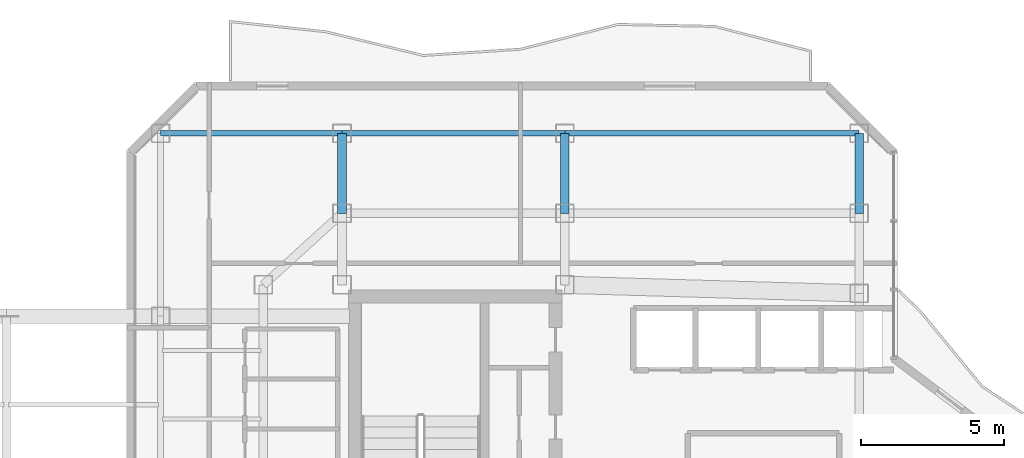
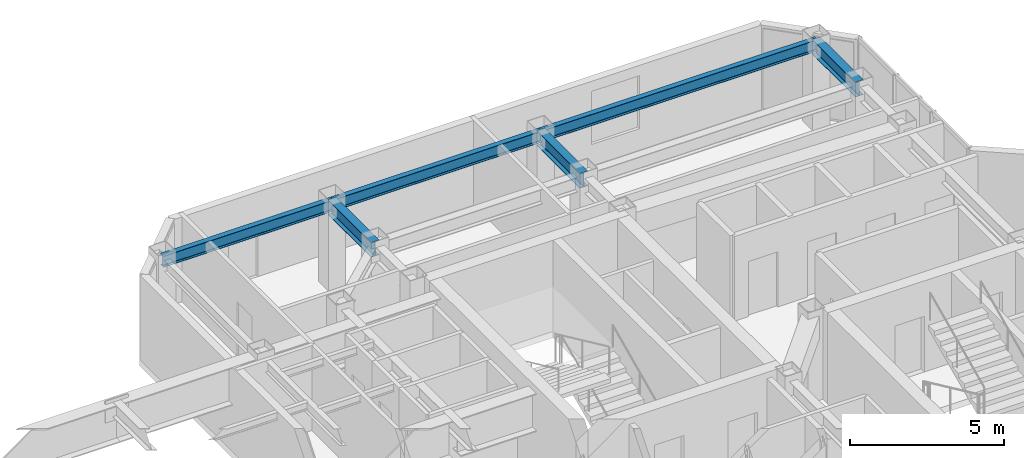
# One storey, part 9 of 17: 6 beams.
"""IFC4 building model written with IfcOpenShell, lengths in metres."""

from ifc_helpers import new_model, si_unit, direction, frame, origin, origin_2d, place, context, subcontext, project, spatial, i_section, extrude, material, material_profile, profile_set, type_object, element, save


model = new_model("IFC4")

# Units and contexts
model_context = context("Model", 3, precision=1e-05, world=origin(), true_north=direction((0.0, 1.0)))
body_context = subcontext(model_context, "Body", "Model", "MODEL_VIEW")
ifc_project = project(units=[si_unit("LENGTHUNIT", "METRE"), si_unit("AREAUNIT", "SQUARE_METRE"), si_unit("VOLUMEUNIT", "CUBIC_METRE"), si_unit("PLANEANGLEUNIT", "RADIAN"), si_unit("MASSUNIT", "GRAM", prefix="KILO")], contexts=[model_context])

# Site, building, storey
site_placement = place(None, origin())
site = spatial("IfcSite", under=ifc_project, at=site_placement, CompositionType="ELEMENT")
building_placement = place(site_placement, origin())
building = spatial("IfcBuilding", under=site, at=building_placement, Name="Hatsunagi Terrace Concourse", CompositionType="ELEMENT")
storey_placement = place(building_placement, frame((0.0, 0.0, 253.949951171875)))
storey = spatial("IfcBuildingStorey", under=building, at=storey_placement, Name="L67", CompositionType="ELEMENT", Elevation=253.949951171875)

# Beams
ifc_material_1 = material(Name="Steel SN490B", Category="steel")
ifc_material_profile_1 = material_profile(ifc_material_1, i_section(OverallWidth=0.300048828125, OverallDepth=0.587890625, WebThickness=0.011962890625, FlangeThickness=0.02001953125, FilletRadius=0.01806640625, at=origin_2d()), Name="H-588x300x12x20")
ifc_profile_set_1 = profile_set([ifc_material_profile_1], Name="Steel SN490B")
beam_type_1 = type_object("IfcBeamType", Name="OfficeHighGirder_H_588x300", PredefinedType="BEAM", material=ifc_profile_set_1)
for number, where, z_axis, x_axis, name in (
    (1, (25.550048828125, 45.800048828125, 3.05615234375), (0.0, 1.0, 0.0), (-1.0, 0.0, 0.0), "Beam G-06 BM-L67-KN-WN4"),
    (2, (33.35009765625, 45.800048828125, 3.05615234375), (0.0, 1.0, 0.0), (-1.0, 0.0, 0.0), "Beam G-06 BM-L67-KN-WN5"),
    (3, (43.64990234375, 45.800048828125, 3.05615234375), (0.0, 1.0, 0.0), (-1.0, 0.0, 0.0), "Beam G-06 BM-L67-KN-WN6"),
):
    element("IfcBeam", number, at=place(storey_placement, frame(where, z_axis=z_axis, x_axis=x_axis)), inside=storey, type_object=beam_type_1, Name=name, PredefinedType="BEAM", context=body_context, shape_type="SweptSolid", body=[
        extrude(i_section(OverallWidth=0.300048828125, OverallDepth=0.587890625, WebThickness=0.011962890625, FlangeThickness=0.02001953125, FilletRadius=0.01806640625, at=origin_2d()), origin(), (0.0, 0.0, 1.0), 2.800048828125),
    ])
ifc_material_2 = material(Name="Steel SN490B", Category="steel")
ifc_material_profile_2 = material_profile(ifc_material_2, i_section(OverallWidth=0.199951171875, OverallDepth=0.449951171875, WebThickness=0.009033203125, FlangeThickness=0.013916015625, FilletRadius=0.01611328125, at=origin_2d()), Name="H-450x200x9x14")
ifc_profile_set_2 = profile_set([ifc_material_profile_2], Name="Steel SN490B")
beam_type_2 = type_object("IfcBeamType", Name="PerimeterSpandrel_H_450x200", PredefinedType="SPANDREL", material=ifc_profile_set_2)
beam_1_placement = place(storey_placement, frame((19.199951171875, 48.60009765625, 3.125), z_axis=(1.0, 0.0, 0.0), x_axis=(0.0, 1.0, 0.0)))
element("IfcBeam", 4, at=beam_1_placement, inside=storey, type_object=beam_type_2, Name="Beam SP-02 BM-L67-WN-19", PredefinedType="SPANDREL", context=body_context, shape_type="SweptSolid", body=[
    extrude(i_section(OverallWidth=0.199951171875, OverallDepth=0.449951171875, WebThickness=0.009033203125, FlangeThickness=0.013916015625, FilletRadius=0.01611328125, at=origin_2d()), origin(), (0.0, 0.0, 1.0), 6.35009765625),
])
beam_2_placement = place(storey_placement, frame((25.550048828125, 48.60009765625, 3.125), z_axis=(1.0, 0.0, 0.0), x_axis=(0.0, 1.0, 0.0)))
element("IfcBeam", 5, at=beam_2_placement, inside=storey, type_object=beam_type_2, Name="Beam SP-02 BM-L67-WN-25", PredefinedType="SPANDREL", context=body_context, shape_type="SweptSolid", body=[
    extrude(i_section(OverallWidth=0.199951171875, OverallDepth=0.449951171875, WebThickness=0.009033203125, FlangeThickness=0.013916015625, FilletRadius=0.01611328125, at=origin_2d()), origin(), (0.0, 0.0, 1.0), 7.800048828125),
])
beam_3_placement = place(storey_placement, frame((33.35009765625, 48.60009765625, 3.125), z_axis=(1.0, 0.0, 0.0), x_axis=(0.0, 1.0, 0.0)))
element("IfcBeam", 6, at=beam_3_placement, inside=storey, type_object=beam_type_2, Name="Beam SP-02 BM-L67-WN-33", PredefinedType="SPANDREL", context=body_context, shape_type="SweptSolid", body=[
    extrude(i_section(OverallWidth=0.199951171875, OverallDepth=0.449951171875, WebThickness=0.009033203125, FlangeThickness=0.013916015625, FilletRadius=0.01611328125, at=origin_2d()), origin(), (0.0, 0.0, 1.0), 10.2998046875),
])

save(model, "model.ifc")
